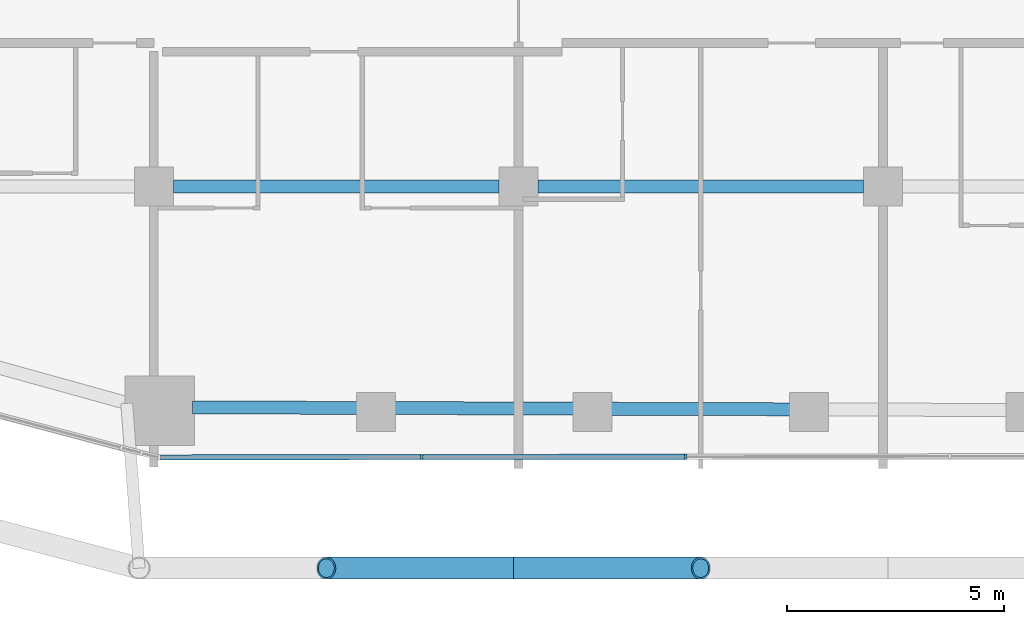
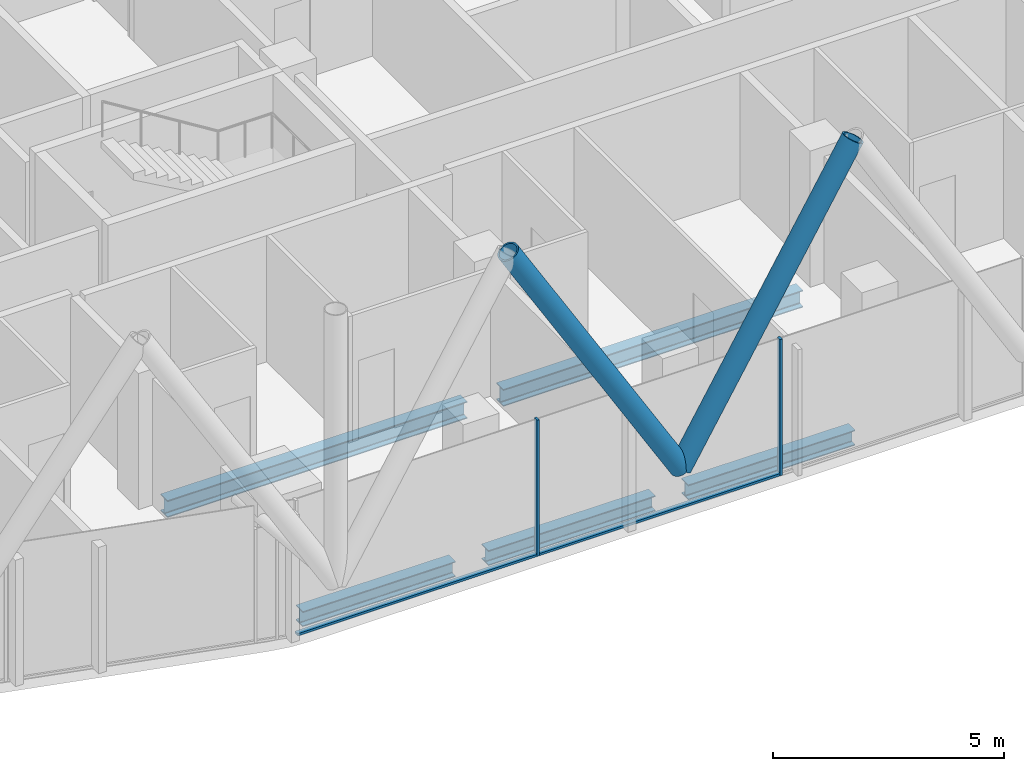
# One storey, part 3 of 33: 6 members, 5 beams, 1 element without a shape of its own.
"""IFC4 building model written with IfcOpenShell, lengths in metres."""

from ifc_helpers import new_model, si_unit, direction, frame, origin, origin_2d, place, context, subcontext, project, spatial, rectangle, hollow_circle, i_section, extrude, material, layer, layer_set, material_profile, profile_set, type_object, element, aggregate, save


model = new_model("IFC4")

# Units and contexts
model_context = context("Model", 3, precision=1e-05, world=origin(), true_north=direction((0.0, 1.0)))
body_context = subcontext(model_context, "Body", "Model", "MODEL_VIEW")
ifc_project = project(units=[si_unit("LENGTHUNIT", "METRE"), si_unit("AREAUNIT", "SQUARE_METRE"), si_unit("VOLUMEUNIT", "CUBIC_METRE"), si_unit("PLANEANGLEUNIT", "RADIAN"), si_unit("MASSUNIT", "GRAM", prefix="KILO")], contexts=[model_context])

# Site, building, storey
site_placement = place(None, origin())
site = spatial("IfcSite", under=ifc_project, at=site_placement, CompositionType="ELEMENT")
building_placement = place(site_placement, origin())
building = spatial("IfcBuilding", under=site, at=building_placement, Name="Marenta Gate Hotel Tower", CompositionType="ELEMENT")
storey_placement = place(building_placement, frame((0.0, 0.0, 151.699951171875)))
storey = spatial("IfcBuildingStorey", under=building, at=storey_placement, Name="L35", CompositionType="ELEMENT", Elevation=151.699951171875)

# Members
ifc_material_1 = material(Name="Steel S355J2W", Category="steel")
ifc_material_profile_1 = material_profile(ifc_material_1, hollow_circle(Radius=0.25390625, WallThickness=0.0400390625, at=origin_2d()), Name="CHS 508x40")
ifc_profile_set_1 = profile_set([ifc_material_profile_1], Name="Steel S355J2W")
member_type_1 = type_object("IfcMemberType", Name="Diagrid diagonal Z2 CHS 508x40", PredefinedType="BRACE", material=ifc_profile_set_1)
for number, where, z_axis, x_axis, name in (
    (1, (-4.31298828125, -25.60009765625, 3.14013671875), (0.513883902774, 0.0, 0.857859740558), (0.0, 1.0, 0.0), "L35-DG-18"),
    (2, (-4.31298828125, -25.60009765625, 3.14013671875), (-0.513883902774, 0.0, 0.857859740558), (0.0, -1.0, 0.0), "L35-DG-19"),
):
    element("IfcMember", number, at=place(storey_placement, frame(where, z_axis=z_axis, x_axis=x_axis)), inside=storey, type_object=member_type_1, Name=name, PredefinedType="BRACE", context=body_context, shape_type="SweptSolid", body=[
        extrude(hollow_circle(Radius=0.25390625, WallThickness=0.0400390625, at=origin_2d()), origin(), (0.0, 0.0, 1.0), 8.392822265625),
    ])

# Beams
ifc_material_2 = material(Name="Steel S355", Category="steel")
ifc_material_profile_2 = material_profile(ifc_material_2, i_section(OverallWidth=0.300048828125, OverallDepth=0.39990234375, WebThickness=0.013427734375, FlangeThickness=0.02392578125, FilletRadius=0.027099609375, at=origin_2d()), Name="HEB 400")
ifc_profile_set_2 = profile_set([ifc_material_profile_2], Name="Steel S355")
beam_type_1 = type_object("IfcBeamType", Name="Edge beam HEB 400", PredefinedType="SPANDREL", material=ifc_profile_set_2)
beam_1_placement = place(storey_placement, frame((2.08349609375, -21.939453125, -0.4599609375), z_axis=(-0.999994808095, 0.003222387769, 0.0), x_axis=(-0.003222387769, -0.999994808095, 0.0)))
element("IfcBeam", 3, at=beam_1_placement, inside=storey, type_object=beam_type_1, Name="L35-EB-34", PredefinedType="SPANDREL", context=body_context, shape_type="SweptSolid", body=[
    extrude(i_section(OverallWidth=0.300048828125, OverallDepth=0.39990234375, WebThickness=0.013427734375, FlangeThickness=0.02392578125, FilletRadius=0.027099609375, at=origin_2d()), origin(), (0.0, 0.0, 1.0), 4.1669921875),
])
beam_2_placement = place(storey_placement, frame((-2.9033203125, -21.92333984375, -0.4599609375), z_axis=(-0.999994807487, 0.003222576575, 0.0), x_axis=(-0.003222576575, -0.999994807487, 0.0)))
element("IfcBeam", 4, at=beam_2_placement, inside=storey, type_object=beam_type_1, Name="L35-EB-35", PredefinedType="SPANDREL", context=body_context, shape_type="SweptSolid", body=[
    extrude(i_section(OverallWidth=0.300048828125, OverallDepth=0.39990234375, WebThickness=0.013427734375, FlangeThickness=0.02392578125, FilletRadius=0.027099609375, at=origin_2d()), origin(), (0.0, 0.0, 1.0), 4.166748046875),
])
beam_3_placement = place(storey_placement, frame((-7.89013671875, -21.907470703125, -0.4599609375), z_axis=(-0.999994677283, 0.003262729738, 0.0), x_axis=(-0.003262729738, -0.999994677283, 0.0)))
element("IfcBeam", 5, at=beam_3_placement, inside=storey, type_object=beam_type_1, Name="L35-EB-36", PredefinedType="SPANDREL", context=body_context, shape_type="SweptSolid", body=[
    extrude(i_section(OverallWidth=0.300048828125, OverallDepth=0.39990234375, WebThickness=0.013427734375, FlangeThickness=0.02392578125, FilletRadius=0.027099609375, at=origin_2d()), origin(), (0.0, 0.0, 1.0), 3.816162109375),
])
ifc_material_3 = material(Name="Steel S355", Category="steel")
ifc_material_profile_3 = material_profile(ifc_material_3, i_section(OverallWidth=0.300048828125, OverallDepth=0.449951171875, WebThickness=0.013916015625, FlangeThickness=0.02587890625, FilletRadius=0.027099609375, at=origin_2d()), Name="HEB 450")
ifc_profile_set_3 = profile_set([ifc_material_profile_3], Name="Steel S355")
beam_type_2 = type_object("IfcBeamType", Name="Girder HEB 450", PredefinedType="BEAM", material=ifc_profile_set_3)
for number, where, z_axis, x_axis, name in (
    (6, (-12.14990234375, -16.800048828125, -0.48486328125), (1.0, 0.0, 0.0), (0.0, 1.0, 0.0), "L35-GD-3"),
    (7, (-3.75, -16.800048828125, -0.48486328125), (1.0, 0.0, 0.0), (0.0, 1.0, 0.0), "L35-GD-4"),
):
    element("IfcBeam", number, at=place(storey_placement, frame(where, z_axis=z_axis, x_axis=x_axis)), inside=storey, type_object=beam_type_2, Name=name, PredefinedType="BEAM", context=body_context, shape_type="SweptSolid", body=[
        extrude(i_section(OverallWidth=0.300048828125, OverallDepth=0.449951171875, WebThickness=0.013916015625, FlangeThickness=0.02587890625, FilletRadius=0.027099609375, at=origin_2d()), origin(), (0.0, 0.0, 1.0), 7.5),
    ])

# Curtain wall, members
ifc_material_4 = material(Name="Tinted insulated glass in bronze anodised frame", Category="glass")
ifc_layer = layer(ifc_material_4, 0.1201171875)
ifc_layer_set = layer_set([ifc_layer], Name="Tinted insulated glass in bronze anodised frame")
curtain_wall_type = type_object("IfcCurtainWallType", Name="Tower unitised curtain wall CW1", PredefinedType="NOTDEFINED", material=ifc_layer_set)
curtain_wall_placement = place(storey_placement, origin())
curtain_wall = element("IfcCurtainWall", 8, at=curtain_wall_placement, inside=storey, type_object=curtain_wall_type, Name="CW1 run G12", PredefinedType="NOTDEFINED")
ifc_material_5 = material(Name="Bronze anodised aluminium", Category="aluminium")
ifc_material_profile_4 = material_profile(ifc_material_5, rectangle(XDim=0.1201171875, YDim=0.06005859375, at=origin_2d()), Name="Mullion CW1 60x120 bronze anodised aluminium")
ifc_profile_set_4 = profile_set([ifc_material_profile_4], Name="Bronze anodised aluminium")
member_type_2 = type_object("IfcMemberType", Name="Mullion CW1 60x120 bronze anodised aluminium", PredefinedType="MULLION", material=ifc_profile_set_4)
member_1_placement = place(storey_placement, frame((-6.424072265625, -23.039306640625, 0.0), z_axis=(0.0, 0.0, 1.0), x_axis=(-0.00136470383, 0.999999068791, 0.0)))
member_1 = element("IfcMember", 9, at=member_1_placement, type_object=member_type_2, Name="CW1 mullion 2", PredefinedType="MULLION", context=body_context, shape_type="SweptSolid", body=[
    extrude(rectangle(XDim=0.1201171875, YDim=0.06005859375, at=origin_2d()), origin(), (0.0, 0.0, 1.0), 3.60009765625),
])
member_2_placement = place(storey_placement, frame((-0.342041015625, -23.031005859375, 0.0), z_axis=(0.0, 0.0, 1.0), x_axis=(-0.00136470383, 0.999999068791, 0.0)))
member_2 = element("IfcMember", 10, at=member_2_placement, type_object=member_type_2, Name="CW1 mullion 3", PredefinedType="MULLION", context=body_context, shape_type="SweptSolid", body=[
    extrude(rectangle(XDim=0.1201171875, YDim=0.06005859375, at=origin_2d()), origin(), (0.0, 0.0, 1.0), 3.60009765625),
])
ifc_material_6 = material(Name="Bronze anodised aluminium", Category="aluminium")
ifc_material_profile_5 = material_profile(ifc_material_6, rectangle(XDim=0.1201171875, YDim=0.06005859375, at=origin_2d()), Name="Transom CW1 60x120 bronze anodised aluminium")
ifc_profile_set_5 = profile_set([ifc_material_profile_5], Name="Bronze anodised aluminium")
member_type_3 = type_object("IfcMemberType", Name="Transom CW1 60x120 bronze anodised aluminium", PredefinedType="USERDEFINED", material=ifc_profile_set_5)
member_3_placement = place(storey_placement, frame((-12.44580078125, -23.04736328125, 0.030029296875), z_axis=(0.999999095981, 0.001344632474, 0.0), x_axis=(-0.001344632474, 0.999999095981, 0.0)))
member_3 = element("IfcMember", 11, at=member_3_placement, type_object=member_type_3, Name="CW1 transom 1.1", ObjectType="TRANSOM", PredefinedType="USERDEFINED", context=body_context, shape_type="SweptSolid", body=[
    extrude(rectangle(XDim=0.1201171875, YDim=0.06005859375, at=origin_2d()), origin(), (0.0, 0.0, 1.0), 5.99169921875),
])
member_4_placement = place(storey_placement, frame((-6.39404296875, -23.0390625, 0.030029296875), z_axis=(0.999999105048, 0.001337872799, 0.0), x_axis=(-0.001337872799, 0.999999105048, 0.0)))
member_4 = element("IfcMember", 12, at=member_4_placement, type_object=member_type_3, Name="CW1 transom 2.1", ObjectType="TRANSOM", PredefinedType="USERDEFINED", context=body_context, shape_type="SweptSolid", body=[
    extrude(rectangle(XDim=0.1201171875, YDim=0.06005859375, at=origin_2d()), origin(), (0.0, 0.0, 1.0), 6.02197265625),
])
aggregate(curtain_wall, [member_1, member_2, member_3, member_4])

save(model, "model.ifc")
